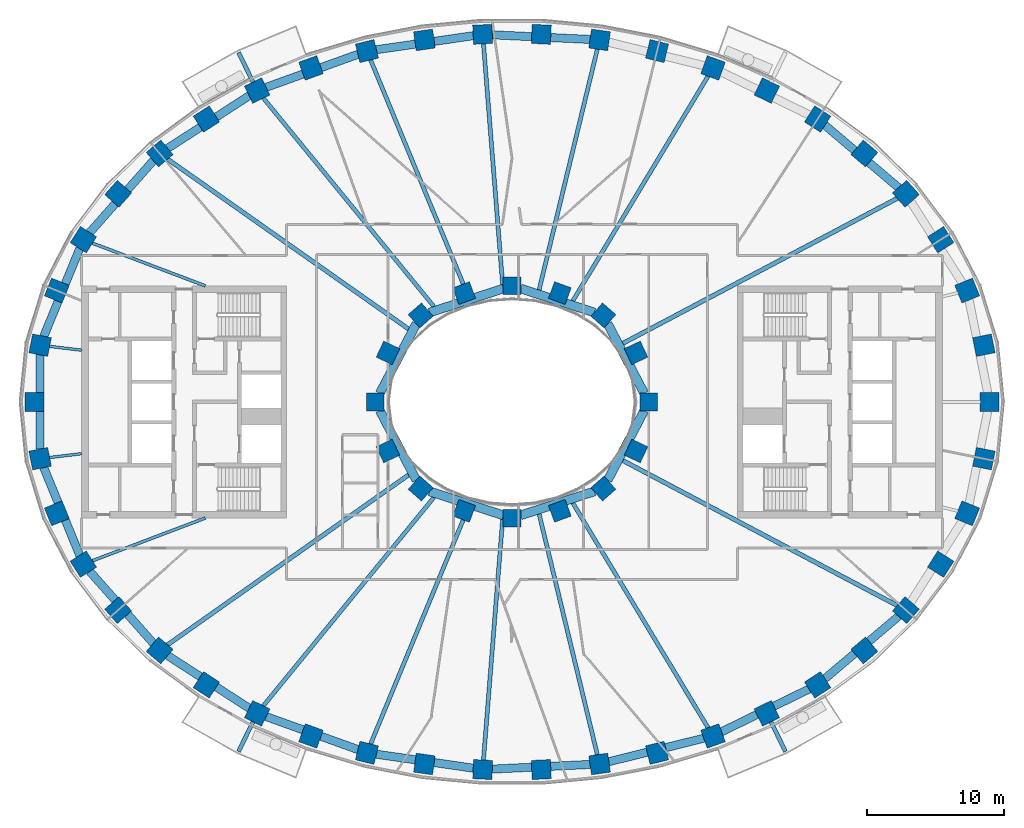
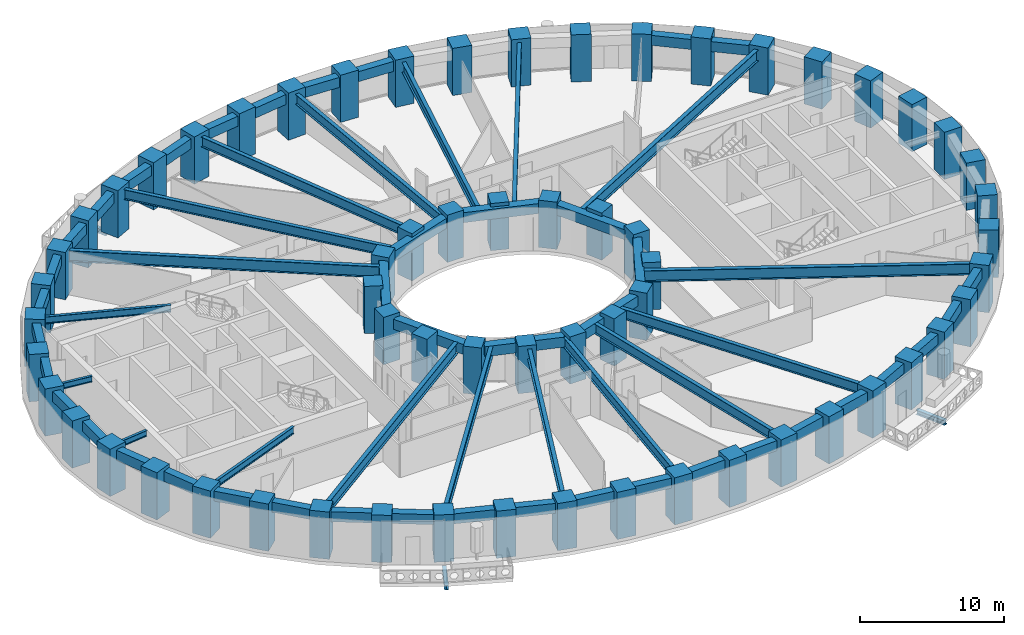
# One storey, part 1 of 15: 62 columns, 46 beams.
"""IFC4 building model written with IfcOpenShell, lengths in metres."""

from ifc_helpers import new_model, si_unit, direction, frame, origin, origin_2d, place, context, subcontext, project, spatial, rectangle, i_section, extrude, material, material_profile, profile_set, type_object, element, save


model = new_model("IFC4")

# Units and contexts
model_context = context("Model", 3, precision=1e-05, world=origin(), true_north=direction((0.0, 1.0)))
body_context = subcontext(model_context, "Body", "Model", "MODEL_VIEW")
ifc_project = project(units=[si_unit("LENGTHUNIT", "METRE"), si_unit("AREAUNIT", "SQUARE_METRE"), si_unit("VOLUMEUNIT", "CUBIC_METRE"), si_unit("PLANEANGLEUNIT", "RADIAN"), si_unit("MASSUNIT", "GRAM", prefix="KILO")], contexts=[model_context])

# Site, building, storey
site_placement = place(None, origin())
site = spatial("IfcSite", under=ifc_project, at=site_placement, CompositionType="ELEMENT")
building_placement = place(site_placement, origin())
building = spatial("IfcBuilding", under=site, at=building_placement, Name="Noorbagh Ring Tower", CompositionType="ELEMENT")
storey_placement = place(building_placement, frame((0.0, 0.0, 62.5)))
storey = spatial("IfcBuildingStorey", under=building, at=storey_placement, Name="L13", CompositionType="ELEMENT", Elevation=62.5)

# Columns
ifc_material_1 = material(Name="Concrete C70/85", Category="concrete")
ifc_material_profile_1 = material_profile(ifc_material_1, rectangle(XDim=1.39990234375, YDim=1.39990234375, at=origin_2d()), Name="RC1400x1400")
ifc_profile_set_1 = profile_set([ifc_material_profile_1], Name="Concrete C70/85")
column_type_1 = type_object("IfcColumnType", Name="STR-COL-RC1400x1400-C70-85", PredefinedType="COLUMN", material=ifc_profile_set_1)
for number, where, z_axis, x_axis, name in (
    (1, (34.944580078125, 0.0, 0.0), (0.0, 0.0, 1.0), (0.0, 1.0, 0.0), "L13/col/R1-01"),
    (2, (34.52685546875, 4.150634765625, 0.0), (0.0, 0.0, 1.0), (-0.19723040178, 0.9803571638, 0.0), "L13/col/R1-02"),
    (3, (33.30517578125, 8.1494140625, 0.0), (0.0, 0.0, 1.0), (-0.378989499959, 0.925400971969, 0.0), "L13/col/R1-03"),
    (4, (31.364990234375, 11.87109375, 0.0), (0.0, 0.0, 1.0), (-0.535190403059, 0.844731455833, 0.0), "L13/col/R1-04"),
    (5, (28.81884765625, 15.23046875, 0.0), (0.0, 0.0, 1.0), (-0.662635642662, 0.748941923699, 0.0), "L13/col/R1-05"),
    (6, (25.78271484375, 18.180419921875, 0.0), (0.0, 0.0, 1.0), (-0.763035199656, 0.646356932419, 0.0), "L13/col/R1-06"),
    (7, (22.362060546875, 20.699951171875, 0.0), (0.0, 0.0, 1.0), (-0.840247639643, 0.542202825586, 0.0), "L13/col/R1-07"),
    (8, (18.646240234375, 22.785400390625, 0.0), (0.0, 0.0, 1.0), (-0.898399080868, 0.439180021741, 0.0), "L13/col/R1-08"),
    (9, (14.70947265625, 24.44091796875, 0.0), (0.0, 0.0, 1.0), (-0.941024726094, 0.338337797003, 0.0), "L13/col/R1-09"),
    (10, (10.61328125, 25.673583984375, 0.0), (0.0, 0.0, 1.0), (-0.970829360981, 0.239771457553, 0.0), "L13/col/R1-10"),
    (11, (6.4091796875, 26.49072265625, 0.0), (0.0, 0.0, 1.0), (-0.989713114048, 0.143066249975, 0.0), "L13/col/R1-11"),
    (12, (2.14306640625, 26.89794921875, 0.0), (0.0, 0.0, 1.0), (-0.998868731212, 0.047552684538, 0.0), "L13/col/R1-12"),
    (13, (-2.14306640625, 26.89794921875, 0.0), (0.0, 0.0, 1.0), (-0.998868731212, -0.047552684538, 0.0), "L13/col/R1-13"),
    (14, (-6.4091796875, 26.49072265625, 0.0), (0.0, 0.0, 1.0), (-0.989713114048, -0.143066249975, 0.0), "L13/col/R1-14"),
    (15, (-10.61328125, 25.673583984375, 0.0), (0.0, 0.0, 1.0), (-0.970829360981, -0.239771457553, 0.0), "L13/col/R1-15"),
    (16, (-14.70947265625, 24.44091796875, 0.0), (0.0, 0.0, 1.0), (-0.941024726094, -0.338337797003, 0.0), "L13/col/R1-16"),
    (17, (-18.646240234375, 22.785400390625, 0.0), (0.0, 0.0, 1.0), (-0.898399080868, -0.439180021741, 0.0), "L13/col/R1-17"),
    (18, (-22.362060546875, 20.699951171875, 0.0), (0.0, 0.0, 1.0), (-0.840247639643, -0.542202825586, 0.0), "L13/col/R1-18"),
    (19, (-25.78271484375, 18.180419921875, 0.0), (0.0, 0.0, 1.0), (-0.763035199656, -0.646356932419, 0.0), "L13/col/R1-19"),
    (20, (-28.81884765625, 15.23046875, 0.0), (0.0, 0.0, 1.0), (-0.662635642662, -0.748941923699, 0.0), "L13/col/R1-20"),
    (21, (-31.364990234375, 11.87109375, 0.0), (0.0, 0.0, 1.0), (-0.535190403059, -0.844731455833, 0.0), "L13/col/R1-21"),
    (22, (-33.30517578125, 8.1494140625, 0.0), (0.0, 0.0, 1.0), (-0.378989499959, -0.925400971969, 0.0), "L13/col/R1-22"),
    (23, (-34.52685546875, 4.150634765625, 0.0), (0.0, 0.0, 1.0), (-0.19723040178, -0.9803571638, 0.0), "L13/col/R1-23"),
    (24, (-34.944580078125, 0.0, 0.0), (0.0, 0.0, 1.0), (0.0, -1.0, 0.0), "L13/col/R1-24"),
    (25, (-34.52685546875, -4.150634765625, 0.0), (0.0, 0.0, 1.0), (0.19723040178, -0.9803571638, 0.0), "L13/col/R1-25"),
    (26, (-33.30517578125, -8.1494140625, 0.0), (0.0, 0.0, 1.0), (0.378989499959, -0.925400971969, 0.0), "L13/col/R1-26"),
    (27, (-31.364990234375, -11.87109375, 0.0), (0.0, 0.0, 1.0), (0.535190403059, -0.844731455833, 0.0), "L13/col/R1-27"),
    (28, (-28.81884765625, -15.23046875, 0.0), (0.0, 0.0, 1.0), (0.662635642662, -0.748941923699, 0.0), "L13/col/R1-28"),
    (29, (-25.78271484375, -18.180419921875, 0.0), (0.0, 0.0, 1.0), (0.763035199656, -0.646356932419, 0.0), "L13/col/R1-29"),
    (30, (-22.362060546875, -20.699951171875, 0.0), (0.0, 0.0, 1.0), (0.840247639643, -0.542202825586, 0.0), "L13/col/R1-30"),
    (31, (-18.646240234375, -22.785400390625, 0.0), (0.0, 0.0, 1.0), (0.898399080868, -0.439180021741, 0.0), "L13/col/R1-31"),
    (32, (-14.70947265625, -24.44091796875, 0.0), (0.0, 0.0, 1.0), (0.941024726094, -0.338337797003, 0.0), "L13/col/R1-32"),
    (33, (-10.61328125, -25.673583984375, 0.0), (0.0, 0.0, 1.0), (0.970829360981, -0.239771457553, 0.0), "L13/col/R1-33"),
    (34, (-6.4091796875, -26.49072265625, 0.0), (0.0, 0.0, 1.0), (0.989713114048, -0.143066249975, 0.0), "L13/col/R1-34"),
    (35, (-2.14306640625, -26.89794921875, 0.0), (0.0, 0.0, 1.0), (0.998868731212, -0.047552684538, 0.0), "L13/col/R1-35"),
    (36, (2.14306640625, -26.89794921875, 0.0), (0.0, 0.0, 1.0), (0.998868731212, 0.047552684538, 0.0), "L13/col/R1-36"),
    (37, (6.4091796875, -26.49072265625, 0.0), (0.0, 0.0, 1.0), (0.989713114048, 0.143066249975, 0.0), "L13/col/R1-37"),
    (38, (10.61328125, -25.673583984375, 0.0), (0.0, 0.0, 1.0), (0.970829360981, 0.239771457553, 0.0), "L13/col/R1-38"),
    (39, (14.70947265625, -24.44091796875, 0.0), (0.0, 0.0, 1.0), (0.941024726094, 0.338337797003, 0.0), "L13/col/R1-39"),
    (40, (18.646240234375, -22.785400390625, 0.0), (0.0, 0.0, 1.0), (0.898399080868, 0.439180021741, 0.0), "L13/col/R1-40"),
    (41, (22.362060546875, -20.699951171875, 0.0), (0.0, 0.0, 1.0), (0.840247639643, 0.542202825586, 0.0), "L13/col/R1-41"),
    (42, (25.78271484375, -18.180419921875, 0.0), (0.0, 0.0, 1.0), (0.763035199656, 0.646356932419, 0.0), "L13/col/R1-42"),
    (43, (28.81884765625, -15.23046875, 0.0), (0.0, 0.0, 1.0), (0.662635642662, 0.748941923699, 0.0), "L13/col/R1-43"),
    (44, (31.364990234375, -11.87109375, 0.0), (0.0, 0.0, 1.0), (0.535190403059, 0.844731455833, 0.0), "L13/col/R1-44"),
    (45, (33.30517578125, -8.1494140625, 0.0), (0.0, 0.0, 1.0), (0.378989499959, 0.925400971969, 0.0), "L13/col/R1-45"),
    (46, (34.52685546875, -4.150634765625, 0.0), (0.0, 0.0, 1.0), (0.19723040178, 0.9803571638, 0.0), "L13/col/R1-46"),
):
    element("IfcColumn", number, at=place(storey_placement, frame(where, z_axis=z_axis, x_axis=x_axis)), inside=storey, type_object=column_type_1, Name=name, PredefinedType="COLUMN", context=body_context, shape_type="SweptSolid", body=[
        extrude(rectangle(XDim=1.39990234375, YDim=1.39990234375, at=origin_2d()), origin(), (0.0, 0.0, 1.0), 4.0),
    ])
ifc_material_2 = material(Name="Concrete C70/85", Category="concrete")
ifc_material_profile_2 = material_profile(ifc_material_2, rectangle(XDim=1.300048828125, YDim=1.300048828125, at=origin_2d()), Name="RC1300x1300")
ifc_profile_set_2 = profile_set([ifc_material_profile_2], Name="Concrete C70/85")
column_type_2 = type_object("IfcColumnType", Name="STR-ICOL-RC1300x1300-C70-85", PredefinedType="COLUMN", material=ifc_profile_set_2)
for number, where, z_axis, x_axis, name in (
    (47, (10.00830078125, 0.0, 0.0), (0.0, 0.0, 1.0), (0.0, 1.0, 0.0), "L13/col/IR2-W01"),
    (48, (9.07568359375, 3.58837890625, 0.0), (0.0, 0.0, 1.0), (-0.428666979171, 0.903462573087, 0.0), "L13/col/IR2-W03"),
    (49, (6.68212890625, 6.333740234375, 0.0), (0.0, 0.0, 1.0), (-0.75102249095, 0.660276622399, 0.0), "L13/col/IR2-W05"),
    (50, (3.5009765625, 7.967041015625, 0.0), (0.0, 0.0, 1.0), (-0.939019578916, 0.343863679984, 0.0), "L13/col/IR2-W07"),
    (51, (0.0, 8.5029296875, 0.0), (0.0, 0.0, 1.0), (-1.0, 0.0, 0.0), "L13/col/IR2-W09"),
    (52, (-3.5009765625, 7.967041015625, 0.0), (0.0, 0.0, 1.0), (-0.939019578916, -0.343863679984, 0.0), "L13/col/IR2-W11"),
    (53, (-6.68212890625, 6.333740234375, 0.0), (0.0, 0.0, 1.0), (-0.75102249095, -0.660276622399, 0.0), "L13/col/IR2-W13"),
    (54, (-9.07568359375, 3.58837890625, 0.0), (0.0, 0.0, 1.0), (-0.428666979171, -0.903462573087, 0.0), "L13/col/IR2-W15"),
    (55, (-10.00830078125, 0.0, 0.0), (0.0, 0.0, 1.0), (0.0, -1.0, 0.0), "L13/col/IR2-W17"),
    (56, (-9.07568359375, -3.58837890625, 0.0), (0.0, 0.0, 1.0), (0.428666979171, -0.903462573087, 0.0), "L13/col/IR2-W19"),
    (57, (-6.68212890625, -6.333740234375, 0.0), (0.0, 0.0, 1.0), (0.75102249095, -0.660276622399, 0.0), "L13/col/IR2-W21"),
    (58, (-3.5009765625, -7.967041015625, 0.0), (0.0, 0.0, 1.0), (0.939019578916, -0.343863679984, 0.0), "L13/col/IR2-W23"),
    (59, (0.0, -8.5029296875, 0.0), (0.0, 0.0, 1.0), (1.0, 0.0, 0.0), "L13/col/IR2-W25"),
    (60, (3.5009765625, -7.967041015625, 0.0), (0.0, 0.0, 1.0), (0.939019578916, 0.343863679984, 0.0), "L13/col/IR2-W27"),
    (61, (6.68212890625, -6.333740234375, 0.0), (0.0, 0.0, 1.0), (0.75102249095, 0.660276622399, 0.0), "L13/col/IR2-W29"),
    (62, (9.07568359375, -3.58837890625, 0.0), (0.0, 0.0, 1.0), (0.428666979171, 0.903462573087, 0.0), "L13/col/IR2-W31"),
):
    element("IfcColumn", number, at=place(storey_placement, frame(where, z_axis=z_axis, x_axis=x_axis)), inside=storey, type_object=column_type_2, Name=name, PredefinedType="COLUMN", context=body_context, shape_type="SweptSolid", body=[
        extrude(rectangle(XDim=1.300048828125, YDim=1.300048828125, at=origin_2d()), origin(), (0.0, 0.0, 1.0), 4.0),
    ])

# Beams
ifc_material_3 = material(Name="Steel S355", Category="steel")
ifc_material_profile_3 = material_profile(ifc_material_3, i_section(OverallWidth=0.300048828125, OverallDepth=0.39990234375, WebThickness=0.013427734375, FlangeThickness=0.02392578125, FilletRadius=0.027099609375, at=origin_2d()), Name="HEB400")
ifc_profile_set_3 = profile_set([ifc_material_profile_3], Name="Steel S355")
beam_type_1 = type_object("IfcBeamType", Name="STR-BALCONY-BRACKET-HEB400", PredefinedType="BEAM", material=ifc_profile_set_3)
for number, where, z_axis, x_axis, name in (
    (63, (-18.945068359375, 23.396240234375, -0.5), (-0.439222770869, 0.898378181809, 0.0), (-0.898378181809, -0.439222770869, 0.0), "Balcony bracket beam BN05"),
    (64, (-18.945068359375, -23.396240234375, -0.5), (-0.439222770869, -0.898378181809, 0.0), (0.898378181809, -0.439222770869, 0.0), "Balcony bracket beam BS02"),
    (65, (18.945068359375, -23.396240234375, -0.5), (0.439222770869, -0.898378181809, 0.0), (0.898378181809, 0.439222770869, 0.0), "Balcony bracket beam BS05"),
):
    element("IfcBeam", number, at=place(storey_placement, frame(where, z_axis=z_axis, x_axis=x_axis)), inside=storey, type_object=beam_type_1, Name=name, PredefinedType="BEAM", context=body_context, shape_type="SweptSolid", body=[
        extrude(i_section(OverallWidth=0.300048828125, OverallDepth=0.39990234375, WebThickness=0.013427734375, FlangeThickness=0.02392578125, FilletRadius=0.027099609375, at=origin_2d()), origin(), (0.0, 0.0, 1.0), 2.425048828125),
    ])
ifc_material_4 = material(Name="Steel S355", Category="steel")
ifc_material_profile_4 = material_profile(ifc_material_4, i_section(OverallWidth=0.199951171875, OverallDepth=0.5, WebThickness=0.01025390625, FlangeThickness=0.01611328125, FilletRadius=0.02099609375, at=origin_2d()), Name="IPE500")
ifc_profile_set_4 = profile_set([ifc_material_profile_4], Name="Steel S355")
beam_type_2 = type_object("IfcBeamType", Name="STR-RAD-IPE500", PredefinedType="BEAM", material=ifc_profile_set_4)
for number, where, z_axis, x_axis, name in (
    (66, (-33.849365234375, 4.0693359375, 3.449951171875), (0.992846305677, -0.119399385689, 0.0), (0.119399385689, 0.992846305677, 0.0), "L13/bm/RD23"),
    (67, (-33.849365234375, -4.0693359375, 3.449951171875), (0.992846305677, 0.119399385689, 0.0), (-0.119399385689, 0.992846305677, 0.0), "L13/bm/RD25"),
):
    element("IfcBeam", number, at=place(storey_placement, frame(where, z_axis=z_axis, x_axis=x_axis)), inside=storey, type_object=beam_type_2, Name=name, PredefinedType="BEAM", context=body_context, shape_type="SweptSolid", body=[
        extrude(i_section(OverallWidth=0.199951171875, OverallDepth=0.5, WebThickness=0.01025390625, FlangeThickness=0.01611328125, FilletRadius=0.02099609375, at=origin_2d()), origin(), (0.0, 0.0, 1.0), 2.38623046875),
    ])
ifc_material_5 = material(Name="Steel S355", Category="steel")
ifc_material_profile_5 = material_profile(ifc_material_5, i_section(OverallWidth=0.219970703125, OverallDepth=0.60009765625, WebThickness=0.011962890625, FlangeThickness=0.01904296875, FilletRadius=0.02392578125, at=origin_2d()), Name="IPE600")
ifc_profile_set_5 = profile_set([ifc_material_profile_5], Name="Steel S355")
beam_type_3 = type_object("IfcBeamType", Name="STR-RAD-IPE600", PredefinedType="BEAM", material=ifc_profile_set_5)
for number, where, z_axis, x_axis, name in (
    (68, (-30.71533203125, 11.625, 3.39990234375), (0.935257869922, -0.353967112524, 0.0), (0.353967112524, 0.935257869922, 0.0), "L13/bm/RD21"),
    (69, (-30.71533203125, -11.625, 3.39990234375), (0.935257869922, 0.353967112524, 0.0), (-0.353967112524, 0.935257869922, 0.0), "L13/bm/RD27"),
):
    element("IfcBeam", number, at=place(storey_placement, frame(where, z_axis=z_axis, x_axis=x_axis)), inside=storey, type_object=beam_type_3, Name=name, PredefinedType="BEAM", context=body_context, shape_type="SweptSolid", body=[
        extrude(i_section(OverallWidth=0.219970703125, OverallDepth=0.60009765625, WebThickness=0.011962890625, FlangeThickness=0.01904296875, FilletRadius=0.02392578125, at=origin_2d()), origin(), (0.0, 0.0, 1.0), 8.848388671875),
    ])
ifc_material_6 = material(Name="Steel S355", Category="steel")
ifc_material_profile_6 = material_profile(ifc_material_6, i_section(OverallWidth=0.300048828125, OverallDepth=0.85009765625, WebThickness=0.013916015625, FlangeThickness=0.028076171875, at=origin_2d()), Name="PG850x300x14x28")
ifc_profile_set_6 = profile_set([ifc_material_profile_6], Name="Steel S355")
beam_type_4 = type_object("IfcBeamType", Name="STR-RAD-PG850x300x14x28", PredefinedType="BEAM", material=ifc_profile_set_6)
beam_1_placement = place(storey_placement, frame((14.351806640625, 23.846435546875, 3.27490234375), z_axis=(-0.515659258166, -0.856793749667, 0.0), x_axis=(0.856793749667, -0.515659258166, 0.0)))
element("IfcBeam", 70, at=beam_1_placement, inside=storey, type_object=beam_type_4, Name="L13/bm/RD09", PredefinedType="BEAM", context=body_context, shape_type="SweptSolid", body=[
    extrude(i_section(OverallWidth=0.300048828125, OverallDepth=0.85009765625, WebThickness=0.013916015625, FlangeThickness=0.028076171875, at=origin_2d()), origin(), (0.0, 0.0, 1.0), 19.216552734375),
])
beam_2_placement = place(storey_placement, frame((6.24853515625, 25.826904296875, 3.27490234375), z_axis=(-0.235159307557, -0.971956840641, 0.0), x_axis=(0.971956840641, -0.235159307557, 0.0)))
element("IfcBeam", 71, at=beam_2_placement, inside=storey, type_object=beam_type_4, Name="L13/bm/RD11", PredefinedType="BEAM", context=body_context, shape_type="SweptSolid", body=[
    extrude(i_section(OverallWidth=0.300048828125, OverallDepth=0.85009765625, WebThickness=0.013916015625, FlangeThickness=0.028076171875, at=origin_2d()), origin(), (0.0, 0.0, 1.0), 18.15478515625),
])
beam_3_placement = place(storey_placement, frame((-2.089111328125, 26.2197265625, 3.27490234375), z_axis=(0.079423302335, -0.996840979819, 0.0), x_axis=(0.996840979819, 0.079423302335, 0.0)))
element("IfcBeam", 72, at=beam_3_placement, inside=storey, type_object=beam_type_4, Name="L13/bm/RD13", PredefinedType="BEAM", context=body_context, shape_type="SweptSolid", body=[
    extrude(i_section(OverallWidth=0.300048828125, OverallDepth=0.85009765625, WebThickness=0.013916015625, FlangeThickness=0.028076171875, at=origin_2d()), origin(), (0.0, 0.0, 1.0), 17.874755859375),
])
beam_4_placement = place(storey_placement, frame((-10.350341796875, 25.037841796875, 3.27490234375), z_axis=(0.382027684337, -0.924150879673, 0.0), x_axis=(0.924150879673, 0.382027684337, 0.0)))
element("IfcBeam", 73, at=beam_4_placement, inside=storey, type_object=beam_type_4, Name="L13/bm/RD15", PredefinedType="BEAM", context=body_context, shape_type="SweptSolid", body=[
    extrude(i_section(OverallWidth=0.300048828125, OverallDepth=0.85009765625, WebThickness=0.013916015625, FlangeThickness=0.028076171875, at=origin_2d()), origin(), (0.0, 0.0, 1.0), 18.6748046875),
])
for number, where, z_axis, x_axis, name in (
    (74, (-18.20361328125, 22.244384765625, 3.27490234375), (0.633313916814, -0.773895007588, 0.0), (0.773895007588, 0.633313916814, 0.0), "L13/bm/RD17"),
    (75, (-18.20361328125, -22.244384765625, 3.27490234375), (0.633313916814, 0.773895007588, 0.0), (-0.773895007588, 0.633313916814, 0.0), "L13/bm/RD31"),
):
    element("IfcBeam", number, at=place(storey_placement, frame(where, z_axis=z_axis, x_axis=x_axis)), inside=storey, type_object=beam_type_4, Name=name, PredefinedType="BEAM", context=body_context, shape_type="SweptSolid", body=[
        extrude(i_section(OverallWidth=0.300048828125, OverallDepth=0.85009765625, WebThickness=0.013916015625, FlangeThickness=0.028076171875, at=origin_2d()), origin(), (0.0, 0.0, 1.0), 19.733642578125),
    ])
beam_5_placement = place(storey_placement, frame((-10.350341796875, -25.037841796875, 3.27490234375), z_axis=(0.382027684337, 0.924150879673, 0.0), x_axis=(-0.924150879673, 0.382027684337, 0.0)))
element("IfcBeam", 76, at=beam_5_placement, inside=storey, type_object=beam_type_4, Name="L13/bm/RD33", PredefinedType="BEAM", context=body_context, shape_type="SweptSolid", body=[
    extrude(i_section(OverallWidth=0.300048828125, OverallDepth=0.85009765625, WebThickness=0.013916015625, FlangeThickness=0.028076171875, at=origin_2d()), origin(), (0.0, 0.0, 1.0), 18.6748046875),
])
beam_6_placement = place(storey_placement, frame((-2.089111328125, -26.2197265625, 3.27490234375), z_axis=(0.079423302335, 0.996840979819, 0.0), x_axis=(-0.996840979819, 0.079423302335, 0.0)))
element("IfcBeam", 77, at=beam_6_placement, inside=storey, type_object=beam_type_4, Name="L13/bm/RD35", PredefinedType="BEAM", context=body_context, shape_type="SweptSolid", body=[
    extrude(i_section(OverallWidth=0.300048828125, OverallDepth=0.85009765625, WebThickness=0.013916015625, FlangeThickness=0.028076171875, at=origin_2d()), origin(), (0.0, 0.0, 1.0), 17.874755859375),
])
beam_7_placement = place(storey_placement, frame((6.24853515625, -25.826904296875, 3.27490234375), z_axis=(-0.235159307557, 0.971956840641, 0.0), x_axis=(-0.971956840641, -0.235159307557, 0.0)))
element("IfcBeam", 78, at=beam_7_placement, inside=storey, type_object=beam_type_4, Name="L13/bm/RD37", PredefinedType="BEAM", context=body_context, shape_type="SweptSolid", body=[
    extrude(i_section(OverallWidth=0.300048828125, OverallDepth=0.85009765625, WebThickness=0.013916015625, FlangeThickness=0.028076171875, at=origin_2d()), origin(), (0.0, 0.0, 1.0), 18.15478515625),
])
beam_8_placement = place(storey_placement, frame((14.351806640625, -23.846435546875, 3.27490234375), z_axis=(-0.515659258166, 0.856793749667, 0.0), x_axis=(-0.856793749667, -0.515659258166, 0.0)))
element("IfcBeam", 79, at=beam_8_placement, inside=storey, type_object=beam_type_4, Name="L13/bm/RD39", PredefinedType="BEAM", context=body_context, shape_type="SweptSolid", body=[
    extrude(i_section(OverallWidth=0.300048828125, OverallDepth=0.85009765625, WebThickness=0.013916015625, FlangeThickness=0.028076171875, at=origin_2d()), origin(), (0.0, 0.0, 1.0), 19.216552734375),
])
ifc_material_7 = material(Name="Steel S355", Category="steel")
ifc_material_profile_7 = material_profile(ifc_material_7, i_section(OverallWidth=0.320068359375, OverallDepth=0.949951171875, WebThickness=0.01611328125, FlangeThickness=0.030029296875, at=origin_2d()), Name="PG950x320x16x30")
ifc_profile_set_7 = profile_set([ifc_material_profile_7], Name="Steel S355")
beam_type_5 = type_object("IfcBeamType", Name="STR-RAD-PG950x320x16x30", PredefinedType="BEAM", material=ifc_profile_set_7)
beam_9_placement = place(storey_placement, frame((28.19970703125, 14.9033203125, 3.22509765625), z_axis=(-0.884122895435, -0.467254433652, 0.0), x_axis=(0.467254433652, -0.884122895435, 0.0)))
element("IfcBeam", 80, at=beam_9_placement, inside=storey, type_object=beam_type_5, Name="L13/bm/RD05", PredefinedType="BEAM", context=body_context, shape_type="SweptSolid", body=[
    extrude(i_section(OverallWidth=0.320068359375, OverallDepth=0.949951171875, WebThickness=0.01611328125, FlangeThickness=0.030029296875, at=origin_2d()), origin(), (0.0, 0.0, 1.0), 22.729736328125),
])
for number, where, z_axis, x_axis, name in (
    (81, (-25.2080078125, 17.775146484375, 3.22509765625), (0.817254380301, -0.576277084291, 0.0), (0.576277084291, 0.817254380301, 0.0), "L13/bm/RD19"),
    (82, (-25.2080078125, -17.775146484375, 3.22509765625), (0.817254380301, 0.576277084291, 0.0), (-0.576277084291, 0.817254380301, 0.0), "L13/bm/RD29"),
):
    element("IfcBeam", number, at=place(storey_placement, frame(where, z_axis=z_axis, x_axis=x_axis)), inside=storey, type_object=beam_type_5, Name=name, PredefinedType="BEAM", context=body_context, shape_type="SweptSolid", body=[
        extrude(i_section(OverallWidth=0.320068359375, OverallDepth=0.949951171875, WebThickness=0.01611328125, FlangeThickness=0.030029296875, at=origin_2d()), origin(), (0.0, 0.0, 1.0), 21.599853515625),
    ])
beam_10_placement = place(storey_placement, frame((28.19970703125, -14.9033203125, 3.22509765625), z_axis=(-0.884122895435, 0.467254433652, 0.0), x_axis=(-0.467254433652, -0.884122895435, 0.0)))
element("IfcBeam", 83, at=beam_10_placement, inside=storey, type_object=beam_type_5, Name="L13/bm/RD43", PredefinedType="BEAM", context=body_context, shape_type="SweptSolid", body=[
    extrude(i_section(OverallWidth=0.320068359375, OverallDepth=0.949951171875, WebThickness=0.01611328125, FlangeThickness=0.030029296875, at=origin_2d()), origin(), (0.0, 0.0, 1.0), 22.729736328125),
])
ifc_material_8 = material(Name="Concrete C40/50", Category="concrete")
ifc_material_profile_8 = material_profile(ifc_material_8, rectangle(XDim=0.64990234375, YDim=0.85009765625, at=origin_2d()), Name="RC650x850")
ifc_profile_set_8 = profile_set([ifc_material_profile_8], Name="Concrete C40/50")
beam_type_6 = type_object("IfcBeamType", Name="STR-RB-RC650x850-C40-50", PredefinedType="BEAM", material=ifc_profile_set_8)
beam_11_placement = place(storey_placement, frame((9.67626953125, 0.63232421875, 3.27490234375), z_axis=(-0.464932685401, 0.885346032942, 0.0), x_axis=(-0.885346032942, -0.464932685401, 0.0)))
element("IfcBeam", 84, at=beam_11_placement, inside=storey, type_object=beam_type_6, Name="L13/bm/RG01", PredefinedType="BEAM", context=body_context, shape_type="SweptSolid", body=[
    extrude(rectangle(XDim=0.64990234375, YDim=0.85009765625, at=origin_2d()), origin(), (0.0, 0.0, 1.0), 5.763671875),
])
for number, where, z_axis, x_axis, name in (
    (85, (6.02783203125, 6.546142578125, 3.27490234375), (-0.95114088461, 0.308757214691, 0.0), (-0.308757214691, -0.95114088461, 0.0), "L13/bm/RG03"),
    (86, (-0.630859375, 8.298095703125, 3.27490234375), (-0.95114088461, -0.308757214691, 0.0), (0.308757214691, -0.95114088461, 0.0), "L13/bm/RG05"),
):
    element("IfcBeam", number, at=place(storey_placement, frame(where, z_axis=z_axis, x_axis=x_axis)), inside=storey, type_object=beam_type_6, Name=name, PredefinedType="BEAM", context=body_context, shape_type="SweptSolid", body=[
        extrude(rectangle(XDim=0.64990234375, YDim=0.85009765625, at=origin_2d()), origin(), (0.0, 0.0, 1.0), 5.67431640625),
    ])
for number, where, z_axis, x_axis, name in (
    (87, (-6.99658203125, 5.735107421875, 3.27490234375), (-0.464932685401, -0.885346032942, 0.0), (0.885346032942, -0.464932685401, 0.0), "L13/bm/RG07"),
    (88, (-9.67626953125, -0.63232421875, 3.27490234375), (0.464932685401, -0.885346032942, 0.0), (0.885346032942, 0.464932685401, 0.0), "L13/bm/RG09"),
):
    element("IfcBeam", number, at=place(storey_placement, frame(where, z_axis=z_axis, x_axis=x_axis)), inside=storey, type_object=beam_type_6, Name=name, PredefinedType="BEAM", context=body_context, shape_type="SweptSolid", body=[
        extrude(rectangle(XDim=0.64990234375, YDim=0.85009765625, at=origin_2d()), origin(), (0.0, 0.0, 1.0), 5.763671875),
    ])
for number, where, z_axis, x_axis, name in (
    (89, (-6.02783203125, -6.546142578125, 3.27490234375), (0.95114088461, -0.308757214691, 0.0), (0.308757214691, 0.95114088461, 0.0), "L13/bm/RG11"),
    (90, (0.630859375, -8.298095703125, 3.27490234375), (0.95114088461, 0.308757214691, 0.0), (-0.308757214691, 0.95114088461, 0.0), "L13/bm/RG13"),
):
    element("IfcBeam", number, at=place(storey_placement, frame(where, z_axis=z_axis, x_axis=x_axis)), inside=storey, type_object=beam_type_6, Name=name, PredefinedType="BEAM", context=body_context, shape_type="SweptSolid", body=[
        extrude(rectangle(XDim=0.64990234375, YDim=0.85009765625, at=origin_2d()), origin(), (0.0, 0.0, 1.0), 5.67431640625),
    ])
beam_12_placement = place(storey_placement, frame((6.99658203125, -5.735107421875, 3.27490234375), z_axis=(0.464932685401, 0.885346032942, 0.0), x_axis=(-0.885346032942, 0.464932685401, 0.0)))
element("IfcBeam", 91, at=beam_12_placement, inside=storey, type_object=beam_type_6, Name="L13/bm/RG15", PredefinedType="BEAM", context=body_context, shape_type="SweptSolid", body=[
    extrude(rectangle(XDim=0.64990234375, YDim=0.85009765625, at=origin_2d()), origin(), (0.0, 0.0, 1.0), 5.763671875),
])
ifc_material_9 = material(Name="Concrete C40/50", Category="concrete")
ifc_material_profile_9 = material_profile(ifc_material_9, rectangle(XDim=0.60009765625, YDim=0.85009765625, at=origin_2d()), Name="RC600x850")
ifc_profile_set_9 = profile_set([ifc_material_profile_9], Name="Concrete C40/50")
beam_type_7 = type_object("IfcBeamType", Name="STR-SB-RC600x850-C40-50", PredefinedType="BEAM", material=ifc_profile_set_9)
beam_13_placement = place(storey_placement, frame((28.29443359375, 15.6748046875, 3.27490234375), z_axis=(-0.763038677853, 0.646352826327, 0.0), x_axis=(-0.646352826327, -0.763038677853, 0.0)))
element("IfcBeam", 92, at=beam_13_placement, inside=storey, type_object=beam_type_7, Name="L13/bm/SP05", PredefinedType="BEAM", context=body_context, shape_type="SweptSolid", body=[
    extrude(rectangle(XDim=0.60009765625, YDim=0.85009765625, at=origin_2d()), origin(), (0.0, 0.0, 1.0), 7.088623046875),
])
beam_14_placement = place(storey_placement, frame((5.726806640625, 26.5234375, 3.27490234375), z_axis=(-0.998869595741, 0.047534521183, 0.0), x_axis=(-0.047534521183, -0.998869595741, 0.0)))
element("IfcBeam", 93, at=beam_14_placement, inside=storey, type_object=beam_type_7, Name="L13/bm/SP11", PredefinedType="BEAM", context=body_context, shape_type="SweptSolid", body=[
    extrude(rectangle(XDim=0.60009765625, YDim=0.85009765625, at=origin_2d()), origin(), (0.0, 0.0, 1.0), 7.195556640625),
])
beam_15_placement = place(storey_placement, frame((-2.8193359375, 26.80029296875, 3.27490234375), z_axis=(-0.989713887857, -0.143060896766, 0.0), x_axis=(0.143060896766, -0.989713887857, 0.0)))
element("IfcBeam", 94, at=beam_15_placement, inside=storey, type_object=beam_type_7, Name="L13/bm/SP13", PredefinedType="BEAM", context=body_context, shape_type="SweptSolid", body=[
    extrude(rectangle(XDim=0.60009765625, YDim=0.85009765625, at=origin_2d()), origin(), (0.0, 0.0, 1.0), 7.19140625),
])
beam_16_placement = place(storey_placement, frame((-11.256591796875, 25.4423828125, 3.27490234375), z_axis=(-0.941019322025, -0.338352827054, 0.0), x_axis=(0.338352827054, -0.941019322025, 0.0)))
element("IfcBeam", 95, at=beam_16_placement, inside=storey, type_object=beam_type_7, Name="L13/bm/SP15", PredefinedType="BEAM", context=body_context, shape_type="SweptSolid", body=[
    extrude(rectangle(XDim=0.60009765625, YDim=0.85009765625, at=origin_2d()), origin(), (0.0, 0.0, 1.0), 7.168701171875),
])
beam_17_placement = place(storey_placement, frame((-19.2216796875, 22.4140625, 3.27490234375), z_axis=(-0.840247280939, -0.542203381467, 0.0), x_axis=(0.542203381467, -0.840247280939, 0.0)))
element("IfcBeam", 96, at=beam_17_placement, inside=storey, type_object=beam_type_7, Name="L13/bm/SP17", PredefinedType="BEAM", context=body_context, shape_type="SweptSolid", body=[
    extrude(rectangle(XDim=0.60009765625, YDim=0.85009765625, at=origin_2d()), origin(), (0.0, 0.0, 1.0), 7.12255859375),
])
beam_18_placement = place(storey_placement, frame((-26.238037109375, 17.66552734375, 3.27490234375), z_axis=(-0.66264637691, -0.748932426303, 0.0), x_axis=(0.748932426303, -0.66264637691, 0.0)))
element("IfcBeam", 97, at=beam_18_placement, inside=storey, type_object=beam_type_7, Name="L13/bm/SP19", PredefinedType="BEAM", context=body_context, shape_type="SweptSolid", body=[
    extrude(rectangle(XDim=0.60009765625, YDim=0.85009765625, at=origin_2d()), origin(), (0.0, 0.0, 1.0), 7.048095703125),
])
beam_19_placement = place(storey_placement, frame((-31.626953125, 11.2314453125, 3.27490234375), z_axis=(-0.378975710003, -0.925406619399, 0.0), x_axis=(0.925406619399, -0.378975710003, 0.0)))
element("IfcBeam", 98, at=beam_19_placement, inside=storey, type_object=beam_type_7, Name="L13/bm/SP21", PredefinedType="BEAM", context=body_context, shape_type="SweptSolid", body=[
    extrude(rectangle(XDim=0.60009765625, YDim=0.85009765625, at=origin_2d()), origin(), (0.0, 0.0, 1.0), 6.958740234375),
])
beam_20_placement = place(storey_placement, frame((-34.52685546875, 3.45654296875, 3.27490234375), z_axis=(0.0, -1.0, 0.0), x_axis=(1.0, 0.0, 0.0)))
element("IfcBeam", 99, at=beam_20_placement, inside=storey, type_object=beam_type_7, Name="L13/bm/SP23", PredefinedType="BEAM", context=body_context, shape_type="SweptSolid", body=[
    extrude(rectangle(XDim=0.60009765625, YDim=0.85009765625, at=origin_2d()), origin(), (0.0, 0.0, 1.0), 6.9130859375),
])
beam_21_placement = place(storey_placement, frame((-34.26416015625, -4.791748046875, 3.27490234375), z_axis=(0.378975710003, -0.925406619399, 0.0), x_axis=(0.925406619399, 0.378975710003, 0.0)))
element("IfcBeam", 100, at=beam_21_placement, inside=storey, type_object=beam_type_7, Name="L13/bm/SP25", PredefinedType="BEAM", context=body_context, shape_type="SweptSolid", body=[
    extrude(rectangle(XDim=0.60009765625, YDim=0.85009765625, at=origin_2d()), origin(), (0.0, 0.0, 1.0), 6.958740234375),
])
beam_22_placement = place(storey_placement, frame((-30.908447265625, -12.386962890625, 3.27490234375), z_axis=(0.66264637691, -0.748932426303, 0.0), x_axis=(0.748932426303, 0.66264637691, 0.0)))
element("IfcBeam", 101, at=beam_22_placement, inside=storey, type_object=beam_type_7, Name="L13/bm/SP27", PredefinedType="BEAM", context=body_context, shape_type="SweptSolid", body=[
    extrude(rectangle(XDim=0.60009765625, YDim=0.85009765625, at=origin_2d()), origin(), (0.0, 0.0, 1.0), 7.048095703125),
])
beam_23_placement = place(storey_placement, frame((-25.206298828125, -18.55224609375, 3.27490234375), z_axis=(0.840247280939, -0.542203381467, 0.0), x_axis=(0.542203381467, 0.840247280939, 0.0)))
element("IfcBeam", 102, at=beam_23_placement, inside=storey, type_object=beam_type_7, Name="L13/bm/SP29", PredefinedType="BEAM", context=body_context, shape_type="SweptSolid", body=[
    extrude(rectangle(XDim=0.60009765625, YDim=0.85009765625, at=origin_2d()), origin(), (0.0, 0.0, 1.0), 7.12255859375),
])
beam_24_placement = place(storey_placement, frame((-18.00244140625, -23.016845703125, 3.27490234375), z_axis=(0.941019322025, -0.338352827054, 0.0), x_axis=(0.338352827054, 0.941019322025, 0.0)))
element("IfcBeam", 103, at=beam_24_placement, inside=storey, type_object=beam_type_7, Name="L13/bm/SP31", PredefinedType="BEAM", context=body_context, shape_type="SweptSolid", body=[
    extrude(rectangle(XDim=0.60009765625, YDim=0.85009765625, at=origin_2d()), origin(), (0.0, 0.0, 1.0), 7.168701171875),
])
beam_25_placement = place(storey_placement, frame((-9.936767578125, -25.771484375, 3.27490234375), z_axis=(0.989713887857, -0.143060896766, 0.0), x_axis=(0.143060896766, 0.989713887857, 0.0)))
element("IfcBeam", 104, at=beam_25_placement, inside=storey, type_object=beam_type_7, Name="L13/bm/SP33", PredefinedType="BEAM", context=body_context, shape_type="SweptSolid", body=[
    extrude(rectangle(XDim=0.60009765625, YDim=0.85009765625, at=origin_2d()), origin(), (0.0, 0.0, 1.0), 7.19140625),
])
beam_26_placement = place(storey_placement, frame((-1.460693359375, -26.865478515625, 3.27490234375), z_axis=(0.998869595741, 0.047534521183, 0.0), x_axis=(-0.047534521183, 0.998869595741, 0.0)))
element("IfcBeam", 105, at=beam_26_placement, inside=storey, type_object=beam_type_7, Name="L13/bm/SP35", PredefinedType="BEAM", context=body_context, shape_type="SweptSolid", body=[
    extrude(rectangle(XDim=0.60009765625, YDim=0.85009765625, at=origin_2d()), origin(), (0.0, 0.0, 1.0), 7.195556640625),
])
beam_27_placement = place(storey_placement, frame((7.07275390625, -26.326904296875, 3.27490234375), z_axis=(0.970828401591, 0.239775342069, 0.0), x_axis=(-0.239775342069, 0.970828401591, 0.0)))
element("IfcBeam", 106, at=beam_27_placement, inside=storey, type_object=beam_type_7, Name="L13/bm/SP37", PredefinedType="BEAM", context=body_context, shape_type="SweptSolid", body=[
    extrude(rectangle(XDim=0.60009765625, YDim=0.85009765625, at=origin_2d()), origin(), (0.0, 0.0, 1.0), 7.182373046875),
])
beam_28_placement = place(storey_placement, frame((15.32421875, -24.140380859375, 3.27490234375), z_axis=(0.898400530475, 0.43917705637, 0.0), x_axis=(-0.43917705637, 0.898400530475, 0.0)))
element("IfcBeam", 107, at=beam_28_placement, inside=storey, type_object=beam_type_7, Name="L13/bm/SP39", PredefinedType="BEAM", context=body_context, shape_type="SweptSolid", body=[
    extrude(rectangle(XDim=0.60009765625, YDim=0.85009765625, at=origin_2d()), origin(), (0.0, 0.0, 1.0), 7.14892578125),
])
beam_29_placement = place(storey_placement, frame((22.885498046875, -20.256591796875, 3.27490234375), z_axis=(0.763038677853, 0.646352826327, 0.0), x_axis=(-0.646352826327, 0.763038677853, 0.0)))
element("IfcBeam", 108, at=beam_29_placement, inside=storey, type_object=beam_type_7, Name="L13/bm/SP41", PredefinedType="BEAM", context=body_context, shape_type="SweptSolid", body=[
    extrude(rectangle(XDim=0.60009765625, YDim=0.85009765625, at=origin_2d()), origin(), (0.0, 0.0, 1.0), 7.088623046875),
])

save(model, "model.ifc")
